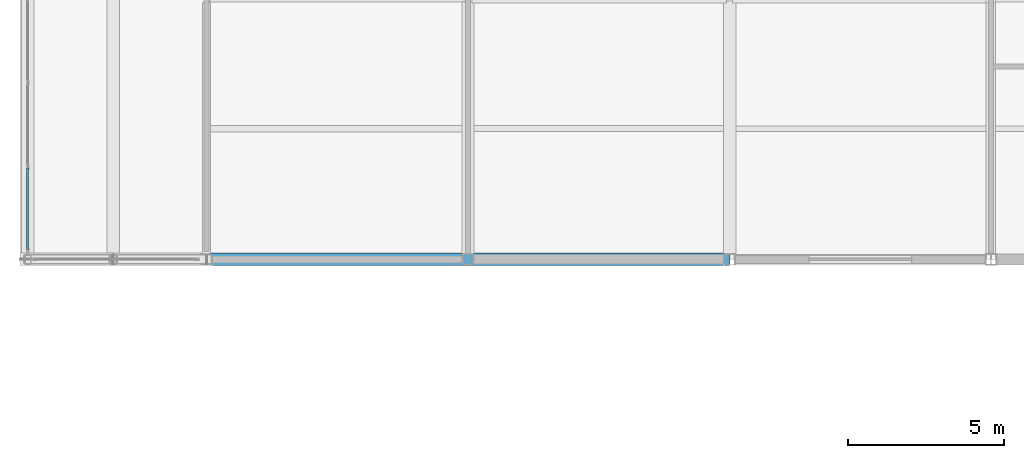
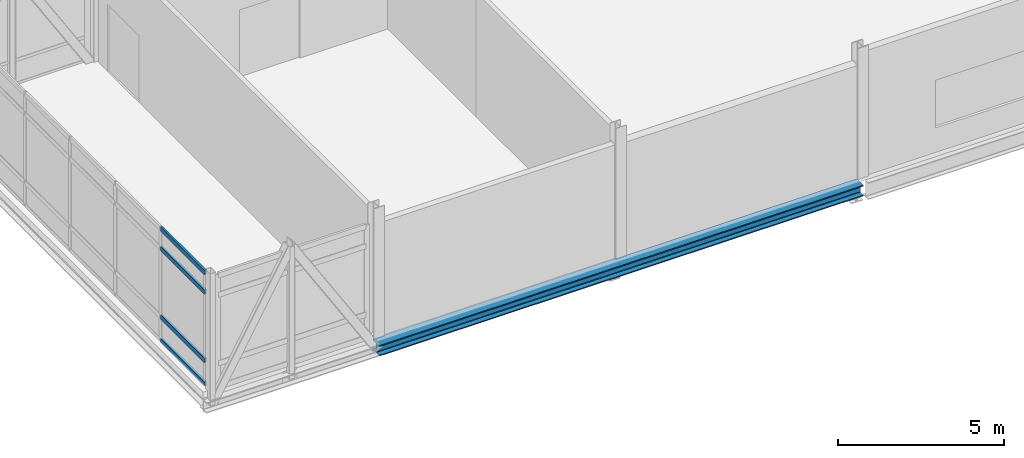
# One storey, part 9 of 45: 4 members, 1 beam, 1 element without a shape of its own.
"""IFC4 building model written with IfcOpenShell, lengths in metres."""

import ifcopenshell
import ifcopenshell.guid

model = None  # the IFC model being written
_history = None  # IfcOwnerHistory: only IFC2X3 demands one
_inside = {}  # id of a spatial element -> (the spatial element, [elements in it])
_under = {}  # id of a project, library or spatial element -> (it, [spatial elements below it])
_declared = {}  # id of a project -> (the project, [libraries it declares])
_typed = {}  # id of a type object -> (the type object, [elements of that type])
_made_of = {}  # id of a material, layer set ... -> (it, [elements and type objects made of it])


def new_model(schema):
    """Start an empty IFC model of exactly this schema.

    Asked for "IFC4X3", IfcOpenShell would pick the latest addendum, in which some entities
    have other attributes; the version numbers below select the first issue.
    IFC2X3 requires an IfcOwnerHistory on every rooted entity: one is made here for all.
    """
    global model, _history
    if schema == "IFC4X3":
        model = ifcopenshell.file(schema_version=(4, 3, 0, 0))
    else:
        model = ifcopenshell.file(schema=schema)
    _inside.clear()
    _under.clear()
    _declared.clear()
    _typed.clear()
    _made_of.clear()
    _history = None
    if model.schema == "IFC2X3":
        org = make("IfcOrganization", Name="unknown")
        user = make(
            "IfcPersonAndOrganization",
            ThePerson=make("IfcPerson", FamilyName="unknown"),
            TheOrganization=org,
        )
        app = make(
            "IfcApplication",
            ApplicationDeveloper=org,
            Version="unknown",
            ApplicationFullName="unknown",
            ApplicationIdentifier="unknown",
        )
        _history = make(
            "IfcOwnerHistory",
            OwningUser=user,
            OwningApplication=app,
            ChangeAction="ADDED",
            CreationDate=0,
        )
    return model


def make(cls, **values):
    """One entity of the class cls with the attributes given. An attribute that is None is left unset."""
    return model.create_entity(
        cls, **{name: value for name, value in values.items() if value is not None}
    )


def rooted(cls, **values):
    """An entity with a GlobalId (a new one), such as an element, a storey or a relation."""
    return make(cls, GlobalId=ifcopenshell.guid.new(), OwnerHistory=_history, **values)


def si_unit(unit_type, name, prefix=None):
    """IfcSIUnit, for example si_unit("LENGTHUNIT", "METRE", prefix="MILLI")."""
    return make("IfcSIUnit", UnitType=unit_type, Prefix=prefix, Name=name)


def assignment(units):
    """IfcUnitAssignment: the units of a project."""
    return None if units is None else make("IfcUnitAssignment", Units=units)


def point(xyz):
    """IfcCartesianPoint."""
    return None if xyz is None else make("IfcCartesianPoint", Coordinates=xyz)


def direction(xyz):
    """IfcDirection."""
    return None if xyz is None else make("IfcDirection", DirectionRatios=xyz)


def frame(location, z_axis=None, x_axis=None):
    """IfcAxis2Placement3D, a coordinate frame: its origin and axes. An axis left out is left unset."""
    return make(
        "IfcAxis2Placement3D",
        Location=point(location),
        Axis=direction(z_axis),
        RefDirection=direction(x_axis),
    )


def frame_2d(location, x_axis=None):
    """IfcAxis2Placement2D, a coordinate frame in the plane: its origin and x axis."""
    return make(
        "IfcAxis2Placement2D", Location=point(location), RefDirection=direction(x_axis)
    )


def origin():
    """The frame at (0, 0, 0) with its axes left unset."""
    return frame((0.0, 0.0, 0.0))


def origin_2d():
    """The frame at (0, 0) in the plane with its x axis left unset."""
    return frame_2d((0.0, 0.0))


def place(relative_to, where):
    """IfcLocalPlacement: puts the frame where relative to a parent placement (None: the world)."""
    return make(
        "IfcLocalPlacement", PlacementRelTo=relative_to, RelativePlacement=where
    )


def context(
    kind, dimensions, precision=None, world=None, true_north=None, identifier=None
):
    """IfcGeometricRepresentationContext, for example the 3D "Model" context."""
    return make(
        "IfcGeometricRepresentationContext",
        ContextIdentifier=identifier,
        ContextType=kind,
        CoordinateSpaceDimension=dimensions,
        Precision=precision,
        WorldCoordinateSystem=world,
        TrueNorth=true_north,
    )


def subcontext(parent, identifier, kind, view, scale=None):
    """IfcGeometricRepresentationSubContext, for example "Body" below "Model"."""
    return make(
        "IfcGeometricRepresentationSubContext",
        ContextIdentifier=identifier,
        ContextType=kind,
        ParentContext=parent,
        TargetScale=scale,
        TargetView=view,
    )


def project(units=None, contexts=None):
    """IfcProject with its units and contexts."""
    return rooted(
        "IfcProject",
        Name="project",
        RepresentationContexts=contexts,
        UnitsInContext=assignment(units),
    )


def spatial(cls, under=None, at=None, **own):
    """A site, building, storey or space (cls), placed at a placement, below another one or the project."""
    s = rooted(cls, ObjectPlacement=at, **own)
    if under is not None:
        _under.setdefault(under.id(), (under, []))[1].append(s)
    return s


def profile(cls, at=None, kind="AREA", **sizes):
    """A parametric profile (cls). Its sizes go by their IFC names, for example OverallWidth=200.0."""
    return make(cls, ProfileType=kind, Position=at, **sizes)


def hollow_rectangle(**sizes):
    """IfcRectangleHollowProfileDef."""
    return profile("IfcRectangleHollowProfileDef", **sizes)


def i_section(**sizes):
    """IfcIShapeProfileDef."""
    return profile("IfcIShapeProfileDef", **sizes)


def extrude(swept, where, along, depth):
    """IfcExtrudedAreaSolid: the profile swept, set in the frame where, extruded along a direction by depth."""
    return make(
        "IfcExtrudedAreaSolid",
        SweptArea=swept,
        Position=where,
        ExtrudedDirection=direction(along),
        Depth=depth,
    )


def shape(context_of_items, identifier, shape_type, items):
    """IfcShapeRepresentation: the items that make up one representation, for example the "Body"."""
    return make(
        "IfcShapeRepresentation",
        ContextOfItems=context_of_items,
        RepresentationIdentifier=identifier,
        RepresentationType=shape_type,
        Items=items,
    )


def material(Name=None, Category=None):
    """IfcMaterial."""
    return make("IfcMaterial", Name=Name, Category=Category)


def layer(
    of_material, thickness, ventilated=None, Name=None, Category=None, Priority=None
):
    """IfcMaterialLayer: one layer of a wall or slab, of a material (None: an air gap)."""
    return make(
        "IfcMaterialLayer",
        Material=of_material,
        LayerThickness=thickness,
        IsVentilated=ventilated,
        Name=Name,
        Category=Category,
        Priority=Priority,
    )


def layer_set(layers, Name=None):
    """IfcMaterialLayerSet."""
    return make("IfcMaterialLayerSet", MaterialLayers=layers, LayerSetName=Name)


def material_profile(
    of_material, cross_section, Name=None, Category=None, Priority=None
):
    """IfcMaterialProfile: a cross section and its material."""
    return make(
        "IfcMaterialProfile",
        Name=Name,
        Material=of_material,
        Profile=cross_section,
        Priority=Priority,
        Category=Category,
    )


def profile_set(profiles, Name=None, composite=None):
    """IfcMaterialProfileSet."""
    return make(
        "IfcMaterialProfileSet",
        Name=Name,
        MaterialProfiles=profiles,
        CompositeProfile=composite,
    )


def made_of(thing, what):
    """Note that an element or type object is made of a material, layer set ...; save() writes the relation."""
    if what is not None:
        _made_of.setdefault(what.id(), (what, []))[1].append(thing)
    return thing


def type_object(cls, material=None, **own):
    """A type object (cls), such as IfcWallType, which elements share."""
    return made_of(rooted(cls, **own), material)


def element(
    cls,
    number,
    at=None,
    inside=None,
    cuts=None,
    type_object=None,
    material=None,
    context=None,
    identifier="Body",
    shape_type=None,
    held_by="IfcProductDefinitionShape",
    body=None,
    shapes=None,
    **own,
):
    """One element of the class cls, such as IfcWall. Its Tag is "e" and its number.

    at: its placement. inside: the storey or other place that contains it. cuts: it is an
    opening in that element (IfcRelVoidsElement). A single representation is given by context,
    identifier, shape_type and body (its items); several are given by shapes. held_by: the class
    of the entity that holds the representations. save() writes the other relations.
    """
    e = rooted(cls, Tag="e%d" % number, ObjectPlacement=at, **own)
    if body is not None:
        shapes = [shape(context, identifier, shape_type, body)]
    if shapes is not None:
        e.Representation = make(held_by, Representations=shapes)
    if inside is not None:
        _inside.setdefault(inside.id(), (inside, []))[1].append(e)
    if cuts is not None:
        rooted(
            "IfcRelVoidsElement", RelatingBuildingElement=cuts, RelatedOpeningElement=e
        )
    if type_object is not None:
        _typed.setdefault(type_object.id(), (type_object, []))[1].append(e)
    return made_of(e, material)


def aggregate(whole, parts):
    """IfcRelAggregates: a whole, such as a stair, and the parts it consists of."""
    return rooted("IfcRelAggregates", RelatingObject=whole, RelatedObjects=parts)


def save(model, path):
    """Write the relations noted so far, then the file.

    IfcRelAggregates (storeys below a building ...), IfcRelContainedInSpatialStructure (elements
    in a storey), IfcRelDefinesByType, IfcRelAssociatesMaterial and IfcRelDeclares: one each for
    every whole, place, type object, material and project.
    """
    for whole, parts in _under.values():
        aggregate(whole, parts)
    for where, things in _inside.values():
        rooted(
            "IfcRelContainedInSpatialStructure",
            RelatedElements=things,
            RelatingStructure=where,
        )
    for kind, things in _typed.values():
        rooted("IfcRelDefinesByType", RelatedObjects=things, RelatingType=kind)
    for what, things in _made_of.values():
        rooted("IfcRelAssociatesMaterial", RelatedObjects=things, RelatingMaterial=what)
    for by, libraries in _declared.values():
        rooted("IfcRelDeclares", RelatingContext=by, RelatedDefinitions=libraries)
    model.write(path)


model = new_model("IFC4")

# Units and contexts
model_context = context("Model", 3, precision=1e-05, world=origin(), true_north=direction((0.0, 1.0)))
body_context = subcontext(model_context, "Body", "Model", "MODEL_VIEW")
ifc_project = project(units=[si_unit("LENGTHUNIT", "METRE"), si_unit("AREAUNIT", "SQUARE_METRE"), si_unit("VOLUMEUNIT", "CUBIC_METRE"), si_unit("PLANEANGLEUNIT", "RADIAN"), si_unit("MASSUNIT", "GRAM", prefix="KILO")], contexts=[model_context])

# Site, building, storey
site_placement = place(None, origin())
site = spatial("IfcSite", under=ifc_project, at=site_placement, CompositionType="ELEMENT")
building_placement = place(site_placement, origin())
building = spatial("IfcBuilding", under=site, at=building_placement, Name="Calvrana Isthmian Art Gallery", CompositionType="ELEMENT")
storey_placement = place(building_placement, frame((0.0, 0.0, 19.800048828125)))
storey = spatial("IfcBuildingStorey", under=building, at=storey_placement, Name="L04", CompositionType="ELEMENT", Elevation=19.800048828125)

# Beam
ifc_material_1 = material(Name="Steel ASTM A992 Gr 50", Category="steel")
ifc_material_profile_1 = material_profile(ifc_material_1, i_section(OverallWidth=0.39892578125, OverallDepth=0.39404296875, WebThickness=0.022705078125, FlangeThickness=0.03662109375, FilletRadius=0.02490234375, at=origin_2d()), Name="W14X193")
ifc_profile_set_1 = profile_set([ifc_material_profile_1], Name="Steel ASTM A992 Gr 50")
beam_type = type_object("IfcBeamType", Name="BM-CANT-CHORD", PredefinedType="BEAM", material=ifc_profile_set_1)
beam_placement = place(storey_placement, frame((21.60009765625, 21.60009765625, -0.467041015625), z_axis=(1.0, 0.0, 0.0), x_axis=(0.0, 1.0, 0.0)))
element("IfcBeam", 1, at=beam_placement, inside=storey, type_object=beam_type, Name="Lookout back-span bottom chord 1", PredefinedType="BEAM", context=body_context, shape_type="SweptSolid", body=[
    extrude(i_section(OverallWidth=0.39892578125, OverallDepth=0.39404296875, WebThickness=0.022705078125, FlangeThickness=0.03662109375, FilletRadius=0.02490234375, at=origin_2d()), origin(), (0.0, 0.0, 1.0), 16.7998046875),
])

# Curtain wall, members
ifc_material_2 = material(Name="Anodized bronze aluminium 6063-T6", Category="aluminium")
ifc_layer = layer(ifc_material_2, 0.179931640625, Name="Anodized bronze aluminium 6063-T6")
ifc_layer_set = layer_set([ifc_layer], Name="Anodized bronze aluminium 6063-T6")
curtain_wall_type = type_object("IfcCurtainWallType", Name="CW-STICK-163X42", PredefinedType="NOTDEFINED", material=ifc_layer_set)
curtain_wall_placement = place(storey_placement, origin())
curtain_wall = element("IfcCurtainWall", 2, at=curtain_wall_placement, inside=storey, type_object=curtain_wall_type, Name="Curtain wall CW-193", PredefinedType="NOTDEFINED")
ifc_material_profile_2 = material_profile(ifc_material_2, hollow_rectangle(XDim=0.070068359375, YDim=0.169921875, WallThickness=0.00439453125, at=origin_2d()), Name="CWT70X170")
ifc_profile_set_2 = profile_set([ifc_material_profile_2], Name="Anodized bronze aluminium 6063-T6")
member_type = type_object("IfcMemberType", Name="CWT-CWT70X170", PredefinedType="USERDEFINED", material=ifc_profile_set_2)
member_1_placement = place(storey_placement, frame((15.85009765625, 21.909912109375, 0.034912109375), z_axis=(0.0, 1.0, 0.0), x_axis=(-1.0, 0.0, 0.0)))
member_1 = element("IfcMember", 3, at=member_1_placement, type_object=member_type, Name="CW-193 transom 1.1", ObjectType="TRANSOM", PredefinedType="USERDEFINED", context=body_context, shape_type="SweptSolid", body=[
    extrude(hollow_rectangle(XDim=0.070068359375, YDim=0.169921875, WallThickness=0.00439453125, at=origin_2d()), origin(), (0.0, 0.0, 1.0), 2.626708984375),
])
member_2_placement = place(storey_placement, frame((15.85009765625, 21.909912109375, 0.89990234375), z_axis=(0.0, 1.0, 0.0), x_axis=(-1.0, 0.0, 0.0)))
member_2 = element("IfcMember", 4, at=member_2_placement, type_object=member_type, Name="CW-193 transom 1.2", ObjectType="TRANSOM", PredefinedType="USERDEFINED", context=body_context, shape_type="SweptSolid", body=[
    extrude(hollow_rectangle(XDim=0.070068359375, YDim=0.169921875, WallThickness=0.00439453125, at=origin_2d()), origin(), (0.0, 0.0, 1.0), 2.626708984375),
])
member_3_placement = place(storey_placement, frame((15.85009765625, 21.909912109375, 3.410888671875), z_axis=(0.0, 1.0, 0.0), x_axis=(-1.0, 0.0, 0.0)))
member_3 = element("IfcMember", 5, at=member_3_placement, type_object=member_type, Name="CW-193 transom 1.3", ObjectType="TRANSOM", PredefinedType="USERDEFINED", context=body_context, shape_type="SweptSolid", body=[
    extrude(hollow_rectangle(XDim=0.070068359375, YDim=0.169921875, WallThickness=0.00439453125, at=origin_2d()), origin(), (0.0, 0.0, 1.0), 2.626708984375),
])
member_4_placement = place(storey_placement, frame((15.85009765625, 21.909912109375, 4.1259765625), z_axis=(0.0, 1.0, 0.0), x_axis=(-1.0, 0.0, 0.0)))
member_4 = element("IfcMember", 6, at=member_4_placement, type_object=member_type, Name="CW-193 transom 1.4", ObjectType="TRANSOM", PredefinedType="USERDEFINED", context=body_context, shape_type="SweptSolid", body=[
    extrude(hollow_rectangle(XDim=0.070068359375, YDim=0.169921875, WallThickness=0.00439453125, at=origin_2d()), origin(), (0.0, 0.0, 1.0), 2.626708984375),
])
aggregate(curtain_wall, [member_1, member_2, member_3, member_4])

save(model, "model.ifc")
